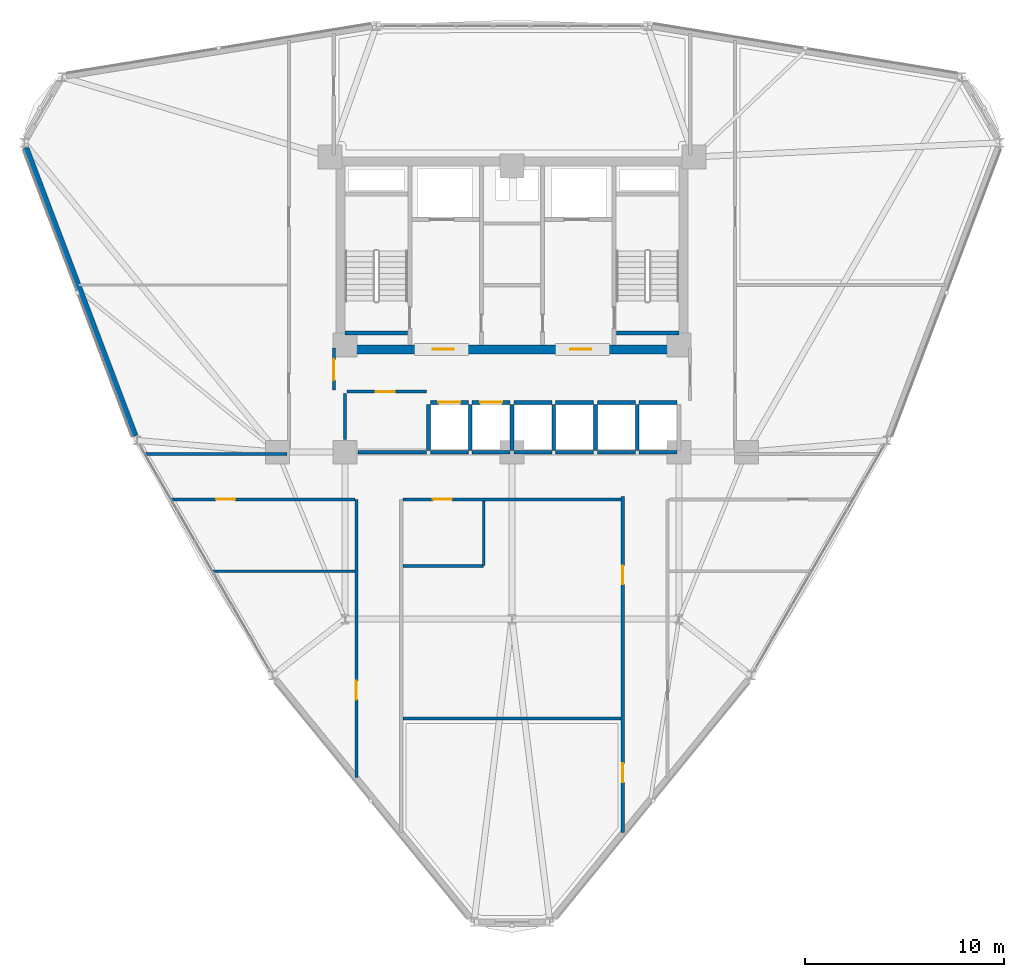
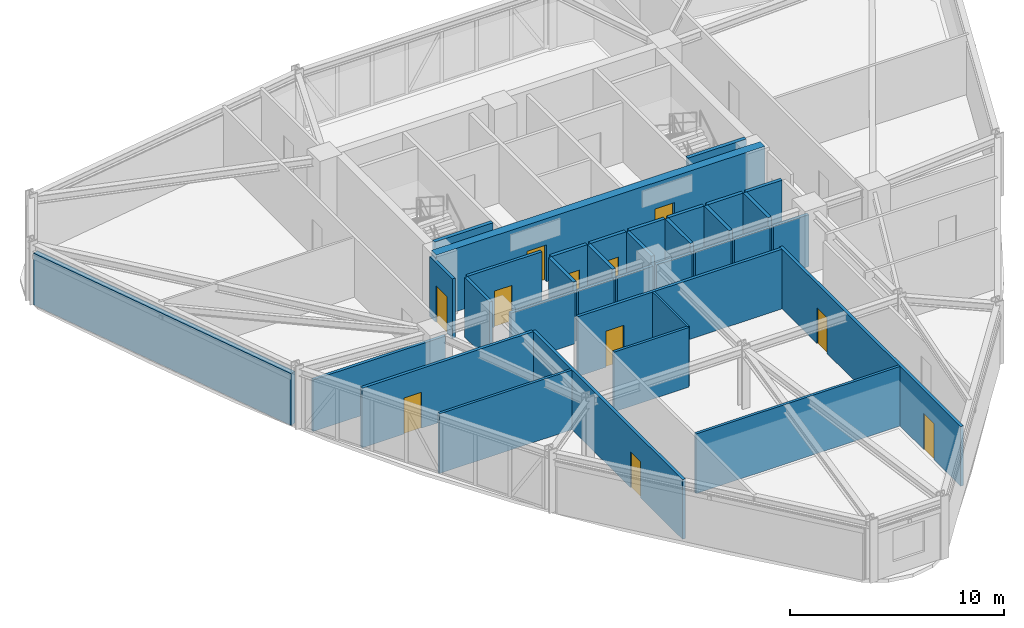
# One storey, part 10 of 17: 35 walls, 11 doors, 11 openings.
"""IFC4 building model written with IfcOpenShell, lengths in metres."""

import ifcopenshell
import ifcopenshell.guid

model = None  # the IFC model being written
_history = None  # IfcOwnerHistory: only IFC2X3 demands one
_inside = {}  # id of a spatial element -> (the spatial element, [elements in it])
_under = {}  # id of a project, library or spatial element -> (it, [spatial elements below it])
_declared = {}  # id of a project -> (the project, [libraries it declares])
_typed = {}  # id of a type object -> (the type object, [elements of that type])
_made_of = {}  # id of a material, layer set ... -> (it, [elements and type objects made of it])


def new_model(schema):
    """Start an empty IFC model of exactly this schema.

    Asked for "IFC4X3", IfcOpenShell would pick the latest addendum, in which some entities
    have other attributes; the version numbers below select the first issue.
    IFC2X3 requires an IfcOwnerHistory on every rooted entity: one is made here for all.
    """
    global model, _history
    if schema == "IFC4X3":
        model = ifcopenshell.file(schema_version=(4, 3, 0, 0))
    else:
        model = ifcopenshell.file(schema=schema)
    _inside.clear()
    _under.clear()
    _declared.clear()
    _typed.clear()
    _made_of.clear()
    _history = None
    if model.schema == "IFC2X3":
        org = make("IfcOrganization", Name="unknown")
        user = make(
            "IfcPersonAndOrganization",
            ThePerson=make("IfcPerson", FamilyName="unknown"),
            TheOrganization=org,
        )
        app = make(
            "IfcApplication",
            ApplicationDeveloper=org,
            Version="unknown",
            ApplicationFullName="unknown",
            ApplicationIdentifier="unknown",
        )
        _history = make(
            "IfcOwnerHistory",
            OwningUser=user,
            OwningApplication=app,
            ChangeAction="ADDED",
            CreationDate=0,
        )
    return model


def make(cls, **values):
    """One entity of the class cls with the attributes given. An attribute that is None is left unset."""
    return model.create_entity(
        cls, **{name: value for name, value in values.items() if value is not None}
    )


def rooted(cls, **values):
    """An entity with a GlobalId (a new one), such as an element, a storey or a relation."""
    return make(cls, GlobalId=ifcopenshell.guid.new(), OwnerHistory=_history, **values)


def si_unit(unit_type, name, prefix=None):
    """IfcSIUnit, for example si_unit("LENGTHUNIT", "METRE", prefix="MILLI")."""
    return make("IfcSIUnit", UnitType=unit_type, Prefix=prefix, Name=name)


def derived_unit(unit_type, elements):
    """IfcDerivedUnit: a product of units, each with its exponent."""
    return make(
        "IfcDerivedUnit",
        Elements=[
            make("IfcDerivedUnitElement", Unit=unit, Exponent=power)
            for unit, power in elements
        ],
        UnitType=unit_type,
    )


def assignment(units):
    """IfcUnitAssignment: the units of a project."""
    return None if units is None else make("IfcUnitAssignment", Units=units)


def point(xyz):
    """IfcCartesianPoint."""
    return None if xyz is None else make("IfcCartesianPoint", Coordinates=xyz)


def direction(xyz):
    """IfcDirection."""
    return None if xyz is None else make("IfcDirection", DirectionRatios=xyz)


def frame(location, z_axis=None, x_axis=None):
    """IfcAxis2Placement3D, a coordinate frame: its origin and axes. An axis left out is left unset."""
    return make(
        "IfcAxis2Placement3D",
        Location=point(location),
        Axis=direction(z_axis),
        RefDirection=direction(x_axis),
    )


def frame_2d(location, x_axis=None):
    """IfcAxis2Placement2D, a coordinate frame in the plane: its origin and x axis."""
    return make(
        "IfcAxis2Placement2D", Location=point(location), RefDirection=direction(x_axis)
    )


def origin():
    """The frame at (0, 0, 0) with its axes left unset."""
    return frame((0.0, 0.0, 0.0))


def place(relative_to, where):
    """IfcLocalPlacement: puts the frame where relative to a parent placement (None: the world)."""
    return make(
        "IfcLocalPlacement", PlacementRelTo=relative_to, RelativePlacement=where
    )


def context(
    kind, dimensions, precision=None, world=None, true_north=None, identifier=None
):
    """IfcGeometricRepresentationContext, for example the 3D "Model" context."""
    return make(
        "IfcGeometricRepresentationContext",
        ContextIdentifier=identifier,
        ContextType=kind,
        CoordinateSpaceDimension=dimensions,
        Precision=precision,
        WorldCoordinateSystem=world,
        TrueNorth=true_north,
    )


def subcontext(parent, identifier, kind, view, scale=None):
    """IfcGeometricRepresentationSubContext, for example "Body" below "Model"."""
    return make(
        "IfcGeometricRepresentationSubContext",
        ContextIdentifier=identifier,
        ContextType=kind,
        ParentContext=parent,
        TargetScale=scale,
        TargetView=view,
    )


def project(units=None, contexts=None):
    """IfcProject with its units and contexts."""
    return rooted(
        "IfcProject",
        Name="project",
        RepresentationContexts=contexts,
        UnitsInContext=assignment(units),
    )


def spatial(cls, under=None, at=None, **own):
    """A site, building, storey or space (cls), placed at a placement, below another one or the project."""
    s = rooted(cls, ObjectPlacement=at, **own)
    if under is not None:
        _under.setdefault(under.id(), (under, []))[1].append(s)
    return s


def profile(cls, at=None, kind="AREA", **sizes):
    """A parametric profile (cls). Its sizes go by their IFC names, for example OverallWidth=200.0."""
    return make(cls, ProfileType=kind, Position=at, **sizes)


def rectangle(**sizes):
    """IfcRectangleProfileDef."""
    return profile("IfcRectangleProfileDef", **sizes)


def extrude(swept, where, along, depth):
    """IfcExtrudedAreaSolid: the profile swept, set in the frame where, extruded along a direction by depth."""
    return make(
        "IfcExtrudedAreaSolid",
        SweptArea=swept,
        Position=where,
        ExtrudedDirection=direction(along),
        Depth=depth,
    )


def shape(context_of_items, identifier, shape_type, items):
    """IfcShapeRepresentation: the items that make up one representation, for example the "Body"."""
    return make(
        "IfcShapeRepresentation",
        ContextOfItems=context_of_items,
        RepresentationIdentifier=identifier,
        RepresentationType=shape_type,
        Items=items,
    )


def material(Name=None, Category=None):
    """IfcMaterial."""
    return make("IfcMaterial", Name=Name, Category=Category)


def layer(
    of_material, thickness, ventilated=None, Name=None, Category=None, Priority=None
):
    """IfcMaterialLayer: one layer of a wall or slab, of a material (None: an air gap)."""
    return make(
        "IfcMaterialLayer",
        Material=of_material,
        LayerThickness=thickness,
        IsVentilated=ventilated,
        Name=Name,
        Category=Category,
        Priority=Priority,
    )


def layer_set(layers, Name=None):
    """IfcMaterialLayerSet."""
    return make("IfcMaterialLayerSet", MaterialLayers=layers, LayerSetName=Name)


def made_of(thing, what):
    """Note that an element or type object is made of a material, layer set ...; save() writes the relation."""
    if what is not None:
        _made_of.setdefault(what.id(), (what, []))[1].append(thing)
    return thing


def type_object(cls, material=None, **own):
    """A type object (cls), such as IfcWallType, which elements share."""
    return made_of(rooted(cls, **own), material)


def element(
    cls,
    number,
    at=None,
    inside=None,
    cuts=None,
    type_object=None,
    material=None,
    context=None,
    identifier="Body",
    shape_type=None,
    held_by="IfcProductDefinitionShape",
    body=None,
    shapes=None,
    **own,
):
    """One element of the class cls, such as IfcWall. Its Tag is "e" and its number.

    at: its placement. inside: the storey or other place that contains it. cuts: it is an
    opening in that element (IfcRelVoidsElement). A single representation is given by context,
    identifier, shape_type and body (its items); several are given by shapes. held_by: the class
    of the entity that holds the representations. save() writes the other relations.
    """
    e = rooted(cls, Tag="e%d" % number, ObjectPlacement=at, **own)
    if body is not None:
        shapes = [shape(context, identifier, shape_type, body)]
    if shapes is not None:
        e.Representation = make(held_by, Representations=shapes)
    if inside is not None:
        _inside.setdefault(inside.id(), (inside, []))[1].append(e)
    if cuts is not None:
        rooted(
            "IfcRelVoidsElement", RelatingBuildingElement=cuts, RelatedOpeningElement=e
        )
    if type_object is not None:
        _typed.setdefault(type_object.id(), (type_object, []))[1].append(e)
    return made_of(e, material)


def fill(opening, filler):
    """IfcRelFillsElement: the door or window that sits in an opening."""
    return rooted(
        "IfcRelFillsElement",
        RelatingOpeningElement=opening,
        RelatedBuildingElement=filler,
    )


def aggregate(whole, parts):
    """IfcRelAggregates: a whole, such as a stair, and the parts it consists of."""
    return rooted("IfcRelAggregates", RelatingObject=whole, RelatedObjects=parts)


def save(model, path):
    """Write the relations noted so far, then the file.

    IfcRelAggregates (storeys below a building ...), IfcRelContainedInSpatialStructure (elements
    in a storey), IfcRelDefinesByType, IfcRelAssociatesMaterial and IfcRelDeclares: one each for
    every whole, place, type object, material and project.
    """
    for whole, parts in _under.values():
        aggregate(whole, parts)
    for where, things in _inside.values():
        rooted(
            "IfcRelContainedInSpatialStructure",
            RelatedElements=things,
            RelatingStructure=where,
        )
    for kind, things in _typed.values():
        rooted("IfcRelDefinesByType", RelatedObjects=things, RelatingType=kind)
    for what, things in _made_of.values():
        rooted("IfcRelAssociatesMaterial", RelatedObjects=things, RelatingMaterial=what)
    for by, libraries in _declared.values():
        rooted("IfcRelDeclares", RelatingContext=by, RelatedDefinitions=libraries)
    model.write(path)


model = new_model("IFC4")

# Units and contexts
model_context = context("Model", 3, precision=1e-05, world=origin(), true_north=direction((0.0, 1.0)))
body_context = subcontext(model_context, "Body", "Model", "MODEL_VIEW")
ifc_project = project(units=[si_unit("LENGTHUNIT", "METRE"), si_unit("AREAUNIT", "SQUARE_METRE"), si_unit("VOLUMEUNIT", "CUBIC_METRE"), si_unit("PLANEANGLEUNIT", "RADIAN"), si_unit("MASSUNIT", "GRAM", prefix="KILO"), derived_unit("THERMALTRANSMITTANCEUNIT", [(si_unit("POWERUNIT", "WATT"), 1), (si_unit("LENGTHUNIT", "METRE"), -2), (si_unit("THERMODYNAMICTEMPERATUREUNIT", "KELVIN"), -1)])], contexts=[model_context])

# Site, building, storey
site_placement = place(None, origin())
site = spatial("IfcSite", under=ifc_project, at=site_placement, CompositionType="ELEMENT")
building_placement = place(site_placement, origin())
building = spatial("IfcBuilding", under=site, at=building_placement, Name="Korsvarv Bourse and Concert Hall", CompositionType="ELEMENT")
storey_placement = place(building_placement, frame((0.0, 0.0, 120.60009765625)))
storey = spatial("IfcBuildingStorey", under=building, at=storey_placement, Name="L30", CompositionType="ELEMENT", Elevation=120.60009765625)

# Walls
ifc_material_1 = material(Name="Concrete C50/60", Category="concrete")
ifc_layer_1 = layer(ifc_material_1, 0.3798828125)
ifc_layer_set_1 = layer_set([ifc_layer_1], Name="Concrete C50/60")
wall_type_1 = type_object("IfcWallType", Name="WL-CORE-380", PredefinedType="SHEAR", material=ifc_layer_set_1)
for number, where, z_axis, x_axis, name in (
    (1, (27.610107421875, 38.39990234375, 0.0), (0.0, 0.0, 1.0), (1.0, 0.0, 0.0), "L30 stair shaft structural wall W-L30-ST1-S"),
    (2, (41.25, 38.39990234375, 0.0), (0.0, 0.0, 1.0), (1.0, 0.0, 0.0), "L30 stair shaft structural wall W-L30-ST2-S"),
):
    element("IfcWall", number, at=place(storey_placement, frame(where, z_axis=z_axis, x_axis=x_axis)), inside=storey, type_object=wall_type_1, Name=name, PredefinedType="SHEAR", context=body_context, shape_type="SweptSolid", body=[
        extrude(rectangle(XDim=3.139892578125, YDim=0.199951171875, at=frame_2d((1.56982421875, 0.0))), origin(), (0.0, 0.0, 1.0), 3.599853515625),
    ])

# Wall, openings, doors
ifc_material_2 = material(Name="Concrete C55/67", Category="concrete")
ifc_layer_2 = layer(ifc_material_2, 0.449951171875)
ifc_layer_set_2 = layer_set([ifc_layer_2], Name="Concrete C55/67")
wall_type_2 = type_object("IfcWallType", Name="WL-CORE-450", PredefinedType="SHEAR", material=ifc_layer_set_2)
wall_1_placement = place(storey_placement, frame((27.14990234375, 37.574951171875, 0.0), z_axis=(0.0, 0.0, 1.0), x_axis=(1.0, 0.0, 0.0)))
wall_1 = element("IfcWall", 3, at=wall_1_placement, inside=storey, type_object=wall_type_2, Name="L30 South Core Shear Wall", PredefinedType="SHEAR", context=body_context, shape_type="SweptSolid", body=[
    extrude(rectangle(XDim=17.7001953125, YDim=0.449951171875, at=frame_2d((8.85009765625, 0.0))), origin(), (0.0, 0.0, 1.0), 3.599853515625),
])
opening_1_placement = place(wall_1_placement, frame((4.875, 0.0, 0.0)))
opening_1 = element("IfcOpeningElement", 4, at=opening_1_placement, cuts=wall_1, Name="Opening D-01", PredefinedType="OPENING", context=body_context, shape_type="SweptSolid", body=[
    extrude(rectangle(XDim=1.050048828125, YDim=2.10009765625, at=frame_2d((0.52490234375, 1.050048828125))), frame((0.0, 0.23486328125, 0.0), z_axis=(0.0, -1.0, 0.0), x_axis=(1.0, 0.0, 0.0)), (0.0, 0.0, 1.0), 0.469970703125),
])
opening_2_placement = place(wall_1_placement, frame((11.77490234375, 0.0, 0.0)))
opening_2 = element("IfcOpeningElement", 5, at=opening_2_placement, cuts=wall_1, Name="Opening D-01", PredefinedType="OPENING", context=body_context, shape_type="SweptSolid", body=[
    extrude(rectangle(XDim=1.050048828125, YDim=2.10009765625, at=frame_2d((0.52490234375, 1.050048828125))), frame((0.0, 0.23486328125, 0.0), z_axis=(0.0, -1.0, 0.0), x_axis=(1.0, 0.0, 0.0)), (0.0, 0.0, 1.0), 0.469970703125),
])
ifc_material_3 = material(Name="Steel S355 fire door", Category="steel")
door_type_1 = type_object("IfcDoorType", Name="DR-FD60", OperationType="NOTDEFINED", PredefinedType="DOOR", material=ifc_material_3)
door_1_placement = place(opening_1_placement, frame((1.050048828125, 0.0, 0.0), z_axis=(0.0, 0.0, 1.0), x_axis=(-1.0, 0.0, 0.0)))
door_1 = element("IfcDoor", 6, at=door_1_placement, inside=storey, type_object=door_type_1, Name="L30 firefighting lobby fire door DR-L30-FFLW", OperationType="SINGLE_SWING_LEFT", OverallHeight=2.10009765625, OverallWidth=1.050048828125, PredefinedType="DOOR", context=body_context, shape_type="SweptSolid", body=[
    extrude(rectangle(XDim=1.050048828125, YDim=2.10009765625, at=frame_2d((0.52490234375, 1.050048828125))), frame((0.0, 0.02490234375, 0.0), z_axis=(0.0, -1.0, 0.0), x_axis=(1.0, 0.0, 0.0)), (0.0, 0.0, 1.0), 0.050048828125),
])
fill(opening_1, door_1)
door_2_placement = place(opening_2_placement, frame((1.050048828125, 0.0, 0.0), z_axis=(0.0, 0.0, 1.0), x_axis=(-1.0, 0.0, 0.0)))
door_2 = element("IfcDoor", 7, at=door_2_placement, inside=storey, type_object=door_type_1, Name="L30 firefighting lobby fire door DR-L30-FFLE", OperationType="SINGLE_SWING_RIGHT", OverallHeight=2.10009765625, OverallWidth=1.050048828125, PredefinedType="DOOR", context=body_context, shape_type="SweptSolid", body=[
    extrude(rectangle(XDim=1.050048828125, YDim=2.10009765625, at=frame_2d((0.52490234375, 1.050048828125))), frame((0.0, 0.02490234375, 0.0), z_axis=(0.0, -1.0, 0.0), x_axis=(1.0, 0.0, 0.0)), (0.0, 0.0, 1.0), 0.050048828125),
])
fill(opening_2, door_2)

# Walls
ifc_material_4 = material(Name="Precast concrete C45/55 with fluted terracotta pier", Category="concrete")
ifc_layer_3 = layer(ifc_material_4, 0.280029296875)
ifc_layer_set_3 = layer_set([ifc_layer_3], Name="Precast concrete C45/55 with fluted terracotta pier")
wall_type_3 = type_object("IfcWallType", Name="WL-EXT-TC2", PredefinedType="SOLIDWALL", material=ifc_layer_set_3)
wall_2_placement = place(storey_placement, frame((11.54638671875, 47.733642578125, 0.0), z_axis=(0.0, 0.0, 1.0), x_axis=(0.354519532047, -0.935048609109, 0.0)))
element("IfcWall", 8, at=wall_2_placement, inside=storey, type_object=wall_type_3, Name="L30 terracotta exterior wall EW-L30-B06", PredefinedType="SOLIDWALL", context=body_context, shape_type="SweptSolid", body=[
    extrude(rectangle(XDim=15.517333984375, YDim=0.280029296875, at=frame_2d((7.7587890625, 0.0))), origin(), (0.0, 0.0, 1.0), 2.949951171875),
])
ifc_material_5 = material(Name="Double-stud fire-rated acoustic partition", Category="gypsum")
ifc_layer_4 = layer(ifc_material_5, 0.159912109375)
ifc_layer_set_4 = layer_set([ifc_layer_4], Name="Double-stud fire-rated acoustic partition")
wall_type_4 = type_object("IfcWallType", Name="WL-INT-EI60", PredefinedType="PARTITIONING", material=ifc_layer_set_4)
wall_3_placement = place(storey_placement, frame((28.25, 32.39990234375, 0.0), z_axis=(0.0, 0.0, 1.0), x_axis=(1.0, 0.0, 0.0)))
element("IfcWall", 9, at=wall_3_placement, inside=storey, type_object=wall_type_4, Name="L30 interior partition wall W-L30-FRD-S", PredefinedType="PARTITIONING", context=body_context, shape_type="SweptSolid", body=[
    extrude(rectangle(XDim=3.449951171875, YDim=0.159912109375, at=frame_2d((1.72509765625, 0.0))), origin(), (0.0, 0.0, 1.0), 2.949951171875),
])
wall_4_placement = place(storey_placement, frame((27.60009765625, 33.050048828125, 0.0), z_axis=(0.0, 0.0, 1.0), x_axis=(0.0, 1.0, 0.0)))
element("IfcWall", 10, at=wall_4_placement, inside=storey, type_object=wall_type_4, Name="L30 interior partition wall W-L30-FRD-W", PredefinedType="PARTITIONING", context=body_context, shape_type="SweptSolid", body=[
    extrude(rectangle(XDim=2.31005859375, YDim=0.159912109375, at=frame_2d((1.155029296875, 0.0))), origin(), (0.0, 0.0, 1.0), 3.39990234375),
])

# Wall, opening, door
wall_5_placement = place(storey_placement, frame((27.68994140625, 35.449951171875, 0.0), z_axis=(0.0, 0.0, 1.0), x_axis=(1.0, 0.0, 0.0)))
wall_5 = element("IfcWall", 11, at=wall_5_placement, inside=storey, type_object=wall_type_4, Name="L30 interior partition wall W-L30-FRD-N", PredefinedType="PARTITIONING", context=body_context, shape_type="SweptSolid", body=[
    extrude(rectangle(XDim=4.010009765625, YDim=0.159912109375, at=frame_2d((2.0048828125, 0.0))), origin(), (0.0, 0.0, 1.0), 3.39990234375),
])
opening_3_placement = place(wall_5_placement, frame((1.449951171875, 0.0, 0.0)))
opening_3 = element("IfcOpeningElement", 12, at=opening_3_placement, cuts=wall_5, Name="Opening D-03", PredefinedType="OPENING", context=body_context, shape_type="SweptSolid", body=[
    extrude(rectangle(XDim=0.949951171875, YDim=2.050048828125, at=frame_2d((0.47509765625, 1.02490234375))), frame((0.0, 0.08984375, 0.0), z_axis=(0.0, -1.0, 0.0), x_axis=(1.0, 0.0, 0.0)), (0.0, 0.0, 1.0), 0.179931640625),
])
ifc_material_6 = material(Name="Nordic oak acoustic office door", Category="wood")
door_type_2 = type_object("IfcDoorType", Name="DR-INT-1", OperationType="NOTDEFINED", PredefinedType="DOOR", material=ifc_material_6)
door_3_placement = place(opening_3_placement, origin())
door_3 = element("IfcDoor", 13, at=door_3_placement, inside=storey, type_object=door_type_2, Name="L30 interior door DR-L30-FRDN1", OperationType="SINGLE_SWING_RIGHT", OverallHeight=2.050048828125, OverallWidth=0.949951171875, PredefinedType="DOOR", context=body_context, shape_type="SweptSolid", body=[
    extrude(rectangle(XDim=0.949951171875, YDim=2.050048828125, at=frame_2d((0.47509765625, 1.02490234375))), frame((0.0, 0.02490234375, 0.0), z_axis=(0.0, -1.0, 0.0), x_axis=(1.0, 0.0, 0.0)), (0.0, 0.0, 1.0), 0.050048828125),
])
fill(opening_3, door_3)

wall_6_placement = place(storey_placement, frame((27.0400390625, 35.5400390625, 0.0), z_axis=(0.0, 0.0, 1.0), x_axis=(0.0, 1.0, 0.0)))
wall_6 = element("IfcWall", 14, at=wall_6_placement, inside=storey, type_object=wall_type_4, Name="L30 interior partition wall W-L30-LOB-WL", PredefinedType="PARTITIONING", context=body_context, shape_type="SweptSolid", body=[
    extrude(rectangle(XDim=2.10986328125, YDim=0.159912109375, at=frame_2d((1.054931640625, 0.0))), origin(), (0.0, 0.0, 1.0), 3.39990234375),
])
opening_4_placement = place(wall_6_placement, frame((0.47998046875, 0.0, 0.0)))
opening_4 = element("IfcOpeningElement", 15, at=opening_4_placement, cuts=wall_6, Name="Opening D-01", PredefinedType="OPENING", context=body_context, shape_type="SweptSolid", body=[
    extrude(rectangle(XDim=1.050048828125, YDim=2.10009765625, at=frame_2d((0.52490234375, 1.050048828125))), frame((0.0, 0.08984375, 0.0), z_axis=(0.0, -1.0, 0.0), x_axis=(1.0, 0.0, 0.0)), (0.0, 0.0, 1.0), 0.179931640625),
])
door_4_placement = place(opening_4_placement, frame((1.050048828125, 0.0, 0.0), z_axis=(0.0, 0.0, 1.0), x_axis=(-1.0, 0.0, 0.0)))
door_4 = element("IfcDoor", 16, at=door_4_placement, inside=storey, type_object=door_type_1, Name="L30 interior door DR-L30-LOBW", OperationType="SINGLE_SWING_LEFT", OverallHeight=2.10009765625, OverallWidth=1.050048828125, PredefinedType="DOOR", context=body_context, shape_type="SweptSolid", body=[
    extrude(rectangle(XDim=1.050048828125, YDim=2.10009765625, at=frame_2d((0.52490234375, 1.050048828125))), frame((0.0, 0.02490234375, 0.0), z_axis=(0.0, -1.0, 0.0), x_axis=(1.0, 0.0, 0.0)), (0.0, 0.0, 1.0), 0.050048828125),
])
fill(opening_4, door_4)

# Wall, openings, doors
wall_7_placement = place(storey_placement, frame((41.574951171875, 13.273681640625, 0.0), z_axis=(0.0, 0.0, 1.0), x_axis=(0.0, 1.0, 0.0)))
wall_7 = element("IfcWall", 17, at=wall_7_placement, inside=storey, type_object=wall_type_4, Name="L30 interior partition wall W-L30-TCOR-03", PredefinedType="PARTITIONING", context=body_context, shape_type="SweptSolid", body=[
    extrude(rectangle(XDim=16.90625, YDim=0.159912109375, at=frame_2d((8.453125, 0.0))), origin(), (0.0, 0.0, 1.0), 3.39990234375),
])
opening_5_placement = place(wall_7_placement, frame((2.515625, 0.0, 0.0)))
opening_5 = element("IfcOpeningElement", 18, at=opening_5_placement, cuts=wall_7, Name="Opening D-02", PredefinedType="OPENING", context=body_context, shape_type="SweptSolid", body=[
    extrude(rectangle(XDim=0.949951171875, YDim=2.050048828125, at=frame_2d((0.47509765625, 1.02490234375))), frame((0.0, 0.08984375, 0.0), z_axis=(0.0, -1.0, 0.0), x_axis=(1.0, 0.0, 0.0)), (0.0, 0.0, 1.0), 0.179931640625),
])
opening_6_placement = place(wall_7_placement, frame((12.473388671875, 0.0, 0.0)))
opening_6 = element("IfcOpeningElement", 19, at=opening_6_placement, cuts=wall_7, Name="Opening D-02", PredefinedType="OPENING", context=body_context, shape_type="SweptSolid", body=[
    extrude(rectangle(XDim=0.949951171875, YDim=2.050048828125, at=frame_2d((0.47509765625, 1.02490234375))), frame((0.0, 0.08984375, 0.0), z_axis=(0.0, -1.0, 0.0), x_axis=(1.0, 0.0, 0.0)), (0.0, 0.0, 1.0), 0.179931640625),
])
ifc_material_7 = material(Name="Timber and steel acoustic fire door", Category="wood")
door_type_3 = type_object("IfcDoorType", Name="DR-FD30", OperationType="NOTDEFINED", PredefinedType="DOOR", material=ifc_material_7)
door_5_placement = place(opening_5_placement, origin())
door_5 = element("IfcDoor", 20, at=door_5_placement, inside=storey, type_object=door_type_3, Name="L30 interior door DR-L30-TCOR-ES36", OperationType="SINGLE_SWING_LEFT", OverallHeight=2.050048828125, OverallWidth=0.949951171875, PredefinedType="DOOR", context=body_context, shape_type="SweptSolid", body=[
    extrude(rectangle(XDim=0.949951171875, YDim=2.050048828125, at=frame_2d((0.47509765625, 1.02490234375))), frame((0.0, 0.02490234375, 0.0), z_axis=(0.0, -1.0, 0.0), x_axis=(1.0, 0.0, 0.0)), (0.0, 0.0, 1.0), 0.050048828125),
])
fill(opening_5, door_5)
door_6_placement = place(opening_6_placement, origin())
door_6 = element("IfcDoor", 21, at=door_6_placement, inside=storey, type_object=door_type_3, Name="L30 interior door DR-L30-TCOR-ES17", OperationType="SINGLE_SWING_RIGHT", OverallHeight=2.050048828125, OverallWidth=0.949951171875, PredefinedType="DOOR", context=body_context, shape_type="SweptSolid", body=[
    extrude(rectangle(XDim=0.949951171875, YDim=2.050048828125, at=frame_2d((0.47509765625, 1.02490234375))), frame((0.0, 0.02490234375, 0.0), z_axis=(0.0, -1.0, 0.0), x_axis=(1.0, 0.0, 0.0)), (0.0, 0.0, 1.0), 0.050048828125),
])
fill(opening_6, door_6)

# Wall, opening, door
wall_8_placement = place(storey_placement, frame((28.175048828125, 16.02880859375, 0.0), z_axis=(0.0, 0.0, 1.0), x_axis=(0.0, 1.0, 0.0)))
wall_8 = element("IfcWall", 22, at=wall_8_placement, inside=storey, type_object=wall_type_4, Name="L30 interior partition wall W-L30-TCOR-05", PredefinedType="PARTITIONING", context=body_context, shape_type="SweptSolid", body=[
    extrude(rectangle(XDim=14.001220703125, YDim=0.159912109375, at=frame_2d((7.00048828125, 0.0))), origin(), (0.0, 0.0, 1.0), 3.39990234375),
])
opening_7_placement = place(wall_8_placement, frame((3.918701171875, 0.0, 0.0)))
opening_7 = element("IfcOpeningElement", 23, at=opening_7_placement, cuts=wall_8, Name="Opening D-02", PredefinedType="OPENING", context=body_context, shape_type="SweptSolid", body=[
    extrude(rectangle(XDim=0.949951171875, YDim=2.050048828125, at=frame_2d((0.47509765625, 1.02490234375))), frame((0.0, 0.08984375, 0.0), z_axis=(0.0, -1.0, 0.0), x_axis=(1.0, 0.0, 0.0)), (0.0, 0.0, 1.0), 0.179931640625),
])
door_7_placement = place(opening_7_placement, origin())
door_7 = element("IfcDoor", 24, at=door_7_placement, inside=storey, type_object=door_type_3, Name="L30 interior door DR-L30-TCOR-ES48", OperationType="SINGLE_SWING_LEFT", OverallHeight=2.050048828125, OverallWidth=0.949951171875, PredefinedType="DOOR", context=body_context, shape_type="SweptSolid", body=[
    extrude(rectangle(XDim=0.949951171875, YDim=2.050048828125, at=frame_2d((0.47509765625, 1.02490234375))), frame((0.0, 0.02490234375, 0.0), z_axis=(0.0, -1.0, 0.0), x_axis=(1.0, 0.0, 0.0)), (0.0, 0.0, 1.0), 0.050048828125),
])
fill(opening_7, door_7)

wall_9_placement = place(storey_placement, frame((30.507080078125, 30.02490234375, 0.0), z_axis=(0.0, 0.0, 1.0), x_axis=(1.0, 0.0, 0.0)))
wall_9 = element("IfcWall", 25, at=wall_9_placement, inside=storey, type_object=wall_type_4, Name="L30 interior partition wall W-L30-TCOR-07", PredefinedType="PARTITIONING", context=body_context, shape_type="SweptSolid", body=[
    extrude(rectangle(XDim=10.98583984375, YDim=0.159912109375, at=frame_2d((5.492919921875, 0.0))), origin(), (0.0, 0.0, 1.0), 3.39990234375),
])
opening_8_placement = place(wall_9_placement, frame((1.51220703125, 0.0, 0.0)))
opening_8 = element("IfcOpeningElement", 26, at=opening_8_placement, cuts=wall_9, Name="Opening D-02", PredefinedType="OPENING", context=body_context, shape_type="SweptSolid", body=[
    extrude(rectangle(XDim=0.949951171875, YDim=2.050048828125, at=frame_2d((0.47509765625, 1.02490234375))), frame((0.0, 0.08984375, 0.0), z_axis=(0.0, -1.0, 0.0), x_axis=(1.0, 0.0, 0.0)), (0.0, 0.0, 1.0), 0.179931640625),
])
door_8_placement = place(opening_8_placement, origin())
door_8 = element("IfcDoor", 27, at=door_8_placement, inside=storey, type_object=door_type_3, Name="L30 interior door DR-L30-TCOR-RWC", OperationType="SINGLE_SWING_LEFT", OverallHeight=2.050048828125, OverallWidth=0.949951171875, PredefinedType="DOOR", context=body_context, shape_type="SweptSolid", body=[
    extrude(rectangle(XDim=0.949951171875, YDim=2.050048828125, at=frame_2d((0.47509765625, 1.02490234375))), frame((0.0, 0.02490234375, 0.0), z_axis=(0.0, -1.0, 0.0), x_axis=(1.0, 0.0, 0.0)), (0.0, 0.0, 1.0), 0.050048828125),
])
fill(opening_8, door_8)

wall_10_placement = place(storey_placement, frame((18.868408203125, 30.02490234375, 0.0), z_axis=(0.0, 0.0, 1.0), x_axis=(1.0, 0.0, 0.0)))
wall_10 = element("IfcWall", 28, at=wall_10_placement, inside=storey, type_object=wall_type_4, Name="L30 interior partition wall W-L30-TCOR-08", PredefinedType="PARTITIONING", context=body_context, shape_type="SweptSolid", body=[
    extrude(rectangle(XDim=9.224609375, YDim=0.159912109375, at=frame_2d((4.6123046875, 0.0))), origin(), (0.0, 0.0, 1.0), 3.39990234375),
])
opening_9_placement = place(wall_10_placement, frame((2.249755859375, 0.0, 0.0)))
opening_9 = element("IfcOpeningElement", 29, at=opening_9_placement, cuts=wall_10, Name="Opening D-02", PredefinedType="OPENING", context=body_context, shape_type="SweptSolid", body=[
    extrude(rectangle(XDim=0.949951171875, YDim=2.050048828125, at=frame_2d((0.47509765625, 1.02490234375))), frame((0.0, 0.08984375, 0.0), z_axis=(0.0, -1.0, 0.0), x_axis=(1.0, 0.0, 0.0)), (0.0, 0.0, 1.0), 0.179931640625),
])
door_9_placement = place(opening_9_placement, origin())
door_9 = element("IfcDoor", 30, at=door_9_placement, inside=storey, type_object=door_type_3, Name="L30 interior door DR-L30-TCOR-RM99", OperationType="SINGLE_SWING_RIGHT", OverallHeight=2.050048828125, OverallWidth=0.949951171875, PredefinedType="DOOR", context=body_context, shape_type="SweptSolid", body=[
    extrude(rectangle(XDim=0.949951171875, YDim=2.050048828125, at=frame_2d((0.47509765625, 1.02490234375))), frame((0.0, 0.02490234375, 0.0), z_axis=(0.0, -1.0, 0.0), x_axis=(1.0, 0.0, 0.0)), (0.0, 0.0, 1.0), 0.050048828125),
])
fill(opening_9, door_9)

# Wall
wall_11_placement = place(storey_placement, frame((17.54638671875, 32.31494140625, 0.0), z_axis=(0.0, 0.0, 1.0), x_axis=(1.0, 0.0, 0.0)))
element("IfcWall", 31, at=wall_11_placement, inside=storey, type_object=wall_type_4, Name="L30 interior partition wall W-L30-TCOR-10", PredefinedType="PARTITIONING", context=body_context, shape_type="SweptSolid", body=[
    extrude(rectangle(XDim=7.146728515625, YDim=0.159912109375, at=frame_2d((3.5732421875, 0.0))), origin(), (0.0, 0.0, 1.0), 2.949951171875),
])

# Wall, opening, door
ifc_material_8 = material(Name="Gypsum-clad autoclaved concrete shaft wall C30/37", Category="concrete")
ifc_layer_5 = layer(ifc_material_8, 0.179931640625)
ifc_layer_set_5 = layer_set([ifc_layer_5], Name="Gypsum-clad autoclaved concrete shaft wall C30/37")
wall_type_5 = type_object("IfcWallType", Name="WL-INT-EI90", PredefinedType="PARTITIONING", material=ifc_layer_set_5)
wall_12_placement = place(storey_placement, frame((31.889892578125, 34.89990234375, 0.0), z_axis=(0.0, 0.0, 1.0), x_axis=(1.0, 0.0, 0.0)))
wall_12 = element("IfcWall", 32, at=wall_12_placement, inside=storey, type_object=wall_type_5, Name="L30 interior partition wall W-L30-SHFN-PM1", PredefinedType="PARTITIONING", context=body_context, shape_type="SweptSolid", body=[
    extrude(rectangle(XDim=1.920166015625, YDim=0.179931640625, at=frame_2d((0.9599609375, 0.0))), origin(), (0.0, 0.0, 1.0), 3.39990234375),
])
opening_10_placement = place(wall_12_placement, frame((0.409912109375, 0.0, 0.0)))
opening_10 = element("IfcOpeningElement", 33, at=opening_10_placement, cuts=wall_12, Name="Opening LD-2", PredefinedType="OPENING", context=body_context, shape_type="SweptSolid", body=[
    extrude(rectangle(XDim=1.10009765625, YDim=2.10009765625, at=frame_2d((0.550048828125, 1.050048828125))), frame((0.0, 0.10009765625, 0.0), z_axis=(0.0, -1.0, 0.0), x_axis=(1.0, 0.0, 0.0)), (0.0, 0.0, 1.0), 0.199951171875),
])
ifc_material_9 = material(Name="Brushed stainless Steel S355 lift landing door", Category="steel")
door_type_4 = type_object("IfcDoorType", Name="DR-LIFT-P", OperationType="DOUBLE_DOOR_SLIDING", PredefinedType="DOOR", material=ifc_material_9)
door_10_placement = place(opening_10_placement, origin())
door_10 = element("IfcDoor", 34, at=door_10_placement, inside=storey, type_object=door_type_4, Name="L30 lift sliding landing door LD-L30-PM1", OperationType="DOUBLE_DOOR_SLIDING", OverallHeight=2.10009765625, OverallWidth=1.10009765625, PredefinedType="DOOR", context=body_context, shape_type="SweptSolid", body=[
    extrude(rectangle(XDim=1.10009765625, YDim=2.10009765625, at=frame_2d((0.550048828125, 1.050048828125))), frame((0.0, 0.02490234375, 0.0), z_axis=(0.0, -1.0, 0.0), x_axis=(1.0, 0.0, 0.0)), (0.0, 0.0, 1.0), 0.050048828125),
])
fill(opening_10, door_10)

# Walls
wall_13_placement = place(storey_placement, frame((31.889892578125, 32.39990234375, 0.0), z_axis=(0.0, 0.0, 1.0), x_axis=(1.0, 0.0, 0.0)))
element("IfcWall", 35, at=wall_13_placement, inside=storey, type_object=wall_type_5, Name="L30 interior partition wall W-L30-SHFS-PM1", PredefinedType="PARTITIONING", context=body_context, shape_type="SweptSolid", body=[
    extrude(rectangle(XDim=1.920166015625, YDim=0.179931640625, at=frame_2d((0.9599609375, 0.0))), origin(), (0.0, 0.0, 1.0), 2.949951171875),
])
wall_14_placement = place(storey_placement, frame((31.800048828125, 32.489990234375, 0.0), z_axis=(0.0, 0.0, 1.0), x_axis=(0.0, 1.0, 0.0)))
element("IfcWall", 36, at=wall_14_placement, inside=storey, type_object=wall_type_5, Name="L30 interior partition wall W-L30-SHFW-PM1", PredefinedType="PARTITIONING", context=body_context, shape_type="SweptSolid", body=[
    extrude(rectangle(XDim=2.320068359375, YDim=0.179931640625, at=frame_2d((1.16015625, 0.0))), origin(), (0.0, 0.0, 1.0), 3.39990234375),
])

# Wall, opening, door
wall_15_placement = place(storey_placement, frame((33.989990234375, 34.89990234375, 0.0), z_axis=(0.0, 0.0, 1.0), x_axis=(1.0, 0.0, 0.0)))
wall_15 = element("IfcWall", 37, at=wall_15_placement, inside=storey, type_object=wall_type_5, Name="L30 interior partition wall W-L30-SHFN-PM2", PredefinedType="PARTITIONING", context=body_context, shape_type="SweptSolid", body=[
    extrude(rectangle(XDim=1.919921875, YDim=0.179931640625, at=frame_2d((0.9599609375, 0.0))), origin(), (0.0, 0.0, 1.0), 3.39990234375),
])
opening_11_placement = place(wall_15_placement, frame((0.409912109375, 0.0, 0.0)))
opening_11 = element("IfcOpeningElement", 38, at=opening_11_placement, cuts=wall_15, Name="Opening LD-2", PredefinedType="OPENING", context=body_context, shape_type="SweptSolid", body=[
    extrude(rectangle(XDim=1.10009765625, YDim=2.10009765625, at=frame_2d((0.550048828125, 1.050048828125))), frame((0.0, 0.10009765625, 0.0), z_axis=(0.0, -1.0, 0.0), x_axis=(1.0, 0.0, 0.0)), (0.0, 0.0, 1.0), 0.199951171875),
])
door_11_placement = place(opening_11_placement, origin())
door_11 = element("IfcDoor", 39, at=door_11_placement, inside=storey, type_object=door_type_4, Name="L30 lift sliding landing door LD-L30-PM2", OperationType="DOUBLE_DOOR_SLIDING", OverallHeight=2.10009765625, OverallWidth=1.10009765625, PredefinedType="DOOR", context=body_context, shape_type="SweptSolid", body=[
    extrude(rectangle(XDim=1.10009765625, YDim=2.10009765625, at=frame_2d((0.550048828125, 1.050048828125))), frame((0.0, 0.02490234375, 0.0), z_axis=(0.0, -1.0, 0.0), x_axis=(1.0, 0.0, 0.0)), (0.0, 0.0, 1.0), 0.050048828125),
])
fill(opening_11, door_11)

# Walls
wall_16_placement = place(storey_placement, frame((33.989990234375, 32.39990234375, 0.0), z_axis=(0.0, 0.0, 1.0), x_axis=(1.0, 0.0, 0.0)))
element("IfcWall", 40, at=wall_16_placement, inside=storey, type_object=wall_type_5, Name="L30 interior partition wall W-L30-SHFS-PM2", PredefinedType="PARTITIONING", context=body_context, shape_type="SweptSolid", body=[
    extrude(rectangle(XDim=1.919921875, YDim=0.179931640625, at=frame_2d((0.9599609375, 0.0))), origin(), (0.0, 0.0, 1.0), 2.949951171875),
])
wall_17_placement = place(storey_placement, frame((33.89990234375, 32.489990234375, 0.0), z_axis=(0.0, 0.0, 1.0), x_axis=(0.0, 1.0, 0.0)))
element("IfcWall", 41, at=wall_17_placement, inside=storey, type_object=wall_type_5, Name="L30 interior partition wall W-L30-SHFW-PM2", PredefinedType="PARTITIONING", context=body_context, shape_type="SweptSolid", body=[
    extrude(rectangle(XDim=2.320068359375, YDim=0.179931640625, at=frame_2d((1.16015625, 0.0))), origin(), (0.0, 0.0, 1.0), 3.39990234375),
])
wall_18_placement = place(storey_placement, frame((36.090087890625, 34.89990234375, 0.0), z_axis=(0.0, 0.0, 1.0), x_axis=(1.0, 0.0, 0.0)))
element("IfcWall", 42, at=wall_18_placement, inside=storey, type_object=wall_type_5, Name="L30 interior partition wall W-L30-SHFN-PH1", PredefinedType="PARTITIONING", context=body_context, shape_type="SweptSolid", body=[
    extrude(rectangle(XDim=1.919921875, YDim=0.179931640625, at=frame_2d((0.9599609375, 0.0))), origin(), (0.0, 0.0, 1.0), 3.39990234375),
])
wall_19_placement = place(storey_placement, frame((36.090087890625, 32.39990234375, 0.0), z_axis=(0.0, 0.0, 1.0), x_axis=(1.0, 0.0, 0.0)))
element("IfcWall", 43, at=wall_19_placement, inside=storey, type_object=wall_type_5, Name="L30 interior partition wall W-L30-SHFS-PH1", PredefinedType="PARTITIONING", context=body_context, shape_type="SweptSolid", body=[
    extrude(rectangle(XDim=1.919921875, YDim=0.179931640625, at=frame_2d((0.9599609375, 0.0))), origin(), (0.0, 0.0, 1.0), 2.949951171875),
])
wall_20_placement = place(storey_placement, frame((36.0, 32.489990234375, 0.0), z_axis=(0.0, 0.0, 1.0), x_axis=(0.0, 1.0, 0.0)))
element("IfcWall", 44, at=wall_20_placement, inside=storey, type_object=wall_type_5, Name="L30 interior partition wall W-L30-SHFW-PH1", PredefinedType="PARTITIONING", context=body_context, shape_type="SweptSolid", body=[
    extrude(rectangle(XDim=2.320068359375, YDim=0.179931640625, at=frame_2d((1.16015625, 0.0))), origin(), (0.0, 0.0, 1.0), 3.39990234375),
])
wall_21_placement = place(storey_placement, frame((38.18994140625, 34.89990234375, 0.0), z_axis=(0.0, 0.0, 1.0), x_axis=(1.0, 0.0, 0.0)))
element("IfcWall", 45, at=wall_21_placement, inside=storey, type_object=wall_type_5, Name="L30 interior partition wall W-L30-SHFN-PH2", PredefinedType="PARTITIONING", context=body_context, shape_type="SweptSolid", body=[
    extrude(rectangle(XDim=1.920166015625, YDim=0.179931640625, at=frame_2d((0.9599609375, 0.0))), origin(), (0.0, 0.0, 1.0), 3.39990234375),
])
wall_22_placement = place(storey_placement, frame((38.18994140625, 32.39990234375, 0.0), z_axis=(0.0, 0.0, 1.0), x_axis=(1.0, 0.0, 0.0)))
element("IfcWall", 46, at=wall_22_placement, inside=storey, type_object=wall_type_5, Name="L30 interior partition wall W-L30-SHFS-PH2", PredefinedType="PARTITIONING", context=body_context, shape_type="SweptSolid", body=[
    extrude(rectangle(XDim=1.920166015625, YDim=0.179931640625, at=frame_2d((0.9599609375, 0.0))), origin(), (0.0, 0.0, 1.0), 2.949951171875),
])
wall_23_placement = place(storey_placement, frame((38.10009765625, 32.489990234375, 0.0), z_axis=(0.0, 0.0, 1.0), x_axis=(0.0, 1.0, 0.0)))
element("IfcWall", 47, at=wall_23_placement, inside=storey, type_object=wall_type_5, Name="L30 interior partition wall W-L30-SHFW-PH2", PredefinedType="PARTITIONING", context=body_context, shape_type="SweptSolid", body=[
    extrude(rectangle(XDim=2.320068359375, YDim=0.179931640625, at=frame_2d((1.16015625, 0.0))), origin(), (0.0, 0.0, 1.0), 3.39990234375),
])
wall_24_placement = place(storey_placement, frame((40.2900390625, 34.89990234375, 0.0), z_axis=(0.0, 0.0, 1.0), x_axis=(1.0, 0.0, 0.0)))
element("IfcWall", 48, at=wall_24_placement, inside=storey, type_object=wall_type_5, Name="L30 interior partition wall W-L30-SHFN-PO1", PredefinedType="PARTITIONING", context=body_context, shape_type="SweptSolid", body=[
    extrude(rectangle(XDim=1.919921875, YDim=0.179931640625, at=frame_2d((0.9599609375, 0.0))), origin(), (0.0, 0.0, 1.0), 3.39990234375),
])
wall_25_placement = place(storey_placement, frame((40.2900390625, 32.39990234375, 0.0), z_axis=(0.0, 0.0, 1.0), x_axis=(1.0, 0.0, 0.0)))
element("IfcWall", 49, at=wall_25_placement, inside=storey, type_object=wall_type_5, Name="L30 interior partition wall W-L30-SHFS-PO1", PredefinedType="PARTITIONING", context=body_context, shape_type="SweptSolid", body=[
    extrude(rectangle(XDim=1.919921875, YDim=0.179931640625, at=frame_2d((0.9599609375, 0.0))), origin(), (0.0, 0.0, 1.0), 2.949951171875),
])
wall_26_placement = place(storey_placement, frame((40.199951171875, 32.489990234375, 0.0), z_axis=(0.0, 0.0, 1.0), x_axis=(0.0, 1.0, 0.0)))
element("IfcWall", 50, at=wall_26_placement, inside=storey, type_object=wall_type_5, Name="L30 interior partition wall W-L30-SHFW-PO1", PredefinedType="PARTITIONING", context=body_context, shape_type="SweptSolid", body=[
    extrude(rectangle(XDim=2.320068359375, YDim=0.179931640625, at=frame_2d((1.16015625, 0.0))), origin(), (0.0, 0.0, 1.0), 3.39990234375),
])
wall_27_placement = place(storey_placement, frame((42.389892578125, 34.89990234375, 0.0), z_axis=(0.0, 0.0, 1.0), x_axis=(1.0, 0.0, 0.0)))
element("IfcWall", 51, at=wall_27_placement, inside=storey, type_object=wall_type_5, Name="L30 interior partition wall W-L30-SHFN-PO2", PredefinedType="PARTITIONING", context=body_context, shape_type="SweptSolid", body=[
    extrude(rectangle(XDim=1.920166015625, YDim=0.179931640625, at=frame_2d((0.9599609375, 0.0))), origin(), (0.0, 0.0, 1.0), 3.39990234375),
])
wall_28_placement = place(storey_placement, frame((42.389892578125, 32.39990234375, 0.0), z_axis=(0.0, 0.0, 1.0), x_axis=(1.0, 0.0, 0.0)))
element("IfcWall", 52, at=wall_28_placement, inside=storey, type_object=wall_type_5, Name="L30 interior partition wall W-L30-SHFS-PO2", PredefinedType="PARTITIONING", context=body_context, shape_type="SweptSolid", body=[
    extrude(rectangle(XDim=1.920166015625, YDim=0.179931640625, at=frame_2d((0.9599609375, 0.0))), origin(), (0.0, 0.0, 1.0), 2.949951171875),
])
wall_29_placement = place(storey_placement, frame((42.300048828125, 32.489990234375, 0.0), z_axis=(0.0, 0.0, 1.0), x_axis=(0.0, 1.0, 0.0)))
element("IfcWall", 53, at=wall_29_placement, inside=storey, type_object=wall_type_5, Name="L30 interior partition wall W-L30-SHFW-PO2", PredefinedType="PARTITIONING", context=body_context, shape_type="SweptSolid", body=[
    extrude(rectangle(XDim=2.320068359375, YDim=0.179931640625, at=frame_2d((1.16015625, 0.0))), origin(), (0.0, 0.0, 1.0), 3.39990234375),
])
ifc_material_10 = material(Name="Demountable acoustic glass and aluminium dealing partition", Category="aluminium")
ifc_layer_6 = layer(ifc_material_10, 0.110107421875)
ifc_layer_set_6 = layer_set([ifc_layer_6], Name="Demountable acoustic glass and aluminium dealing partition")
wall_type_6 = type_object("IfcWallType", Name="WL-INT-MOV", PredefinedType="MOVABLE", material=ifc_layer_set_6)
wall_30_placement = place(storey_placement, frame((34.574951171875, 26.68994140625, 0.0), z_axis=(0.0, 0.0, 1.0), x_axis=(0.0, 1.0, 0.0)))
element("IfcWall", 54, at=wall_30_placement, inside=storey, type_object=wall_type_6, Name="L30 interior partition wall W-L30-TCOR-20", PredefinedType="MOVABLE", context=body_context, shape_type="SweptSolid", body=[
    extrude(rectangle(XDim=3.253173828125, YDim=0.110107421875, at=frame_2d((1.62646484375, 0.0))), origin(), (0.0, 0.0, 1.0), 3.39990234375),
])
ifc_material_11 = material(Name="Insulated steel-stud office acoustic partition", Category="gypsum")
ifc_layer_7 = layer(ifc_material_11, 0.139892578125)
ifc_layer_set_7 = layer_set([ifc_layer_7], Name="Insulated steel-stud office acoustic partition")
wall_type_7 = type_object("IfcWallType", Name="WL-INT-P1", PredefinedType="PARTITIONING", material=ifc_layer_set_7)
wall_31_placement = place(storey_placement, frame((30.507080078125, 19.0048828125, 0.0), z_axis=(0.0, 0.0, 1.0), x_axis=(1.0, 0.0, 0.0)))
element("IfcWall", 55, at=wall_31_placement, inside=storey, type_object=wall_type_7, Name="L30 interior partition wall W-L30-TCOR-14", PredefinedType="PARTITIONING", context=body_context, shape_type="SweptSolid", body=[
    extrude(rectangle(XDim=10.98583984375, YDim=0.139892578125, at=frame_2d((5.492919921875, 0.0))), origin(), (0.0, 0.0, 1.0), 3.39990234375),
])
wall_32_placement = place(storey_placement, frame((20.95849609375, 26.405029296875, 0.0), z_axis=(0.0, 0.0, 1.0), x_axis=(1.0, 0.0, 0.0)))
element("IfcWall", 56, at=wall_32_placement, inside=storey, type_object=wall_type_7, Name="L30 interior partition wall W-L30-TCOR-17", PredefinedType="PARTITIONING", context=body_context, shape_type="SweptSolid", body=[
    extrude(rectangle(XDim=7.134521484375, YDim=0.139892578125, at=frame_2d((3.5673828125, 0.0))), origin(), (0.0, 0.0, 1.0), 3.39990234375),
])
wall_33_placement = place(storey_placement, frame((30.507080078125, 26.675048828125, 0.0), z_axis=(0.0, 0.0, 1.0), x_axis=(1.0, 0.0, 0.0)))
element("IfcWall", 57, at=wall_33_placement, inside=storey, type_object=wall_type_7, Name="L30 interior partition wall W-L30-TCOR-19", PredefinedType="PARTITIONING", context=body_context, shape_type="SweptSolid", body=[
    extrude(rectangle(XDim=4.052978515625, YDim=0.139892578125, at=frame_2d((2.0263671875, 0.0))), origin(), (0.0, 0.0, 1.0), 3.39990234375),
])

save(model, "model.ifc")
